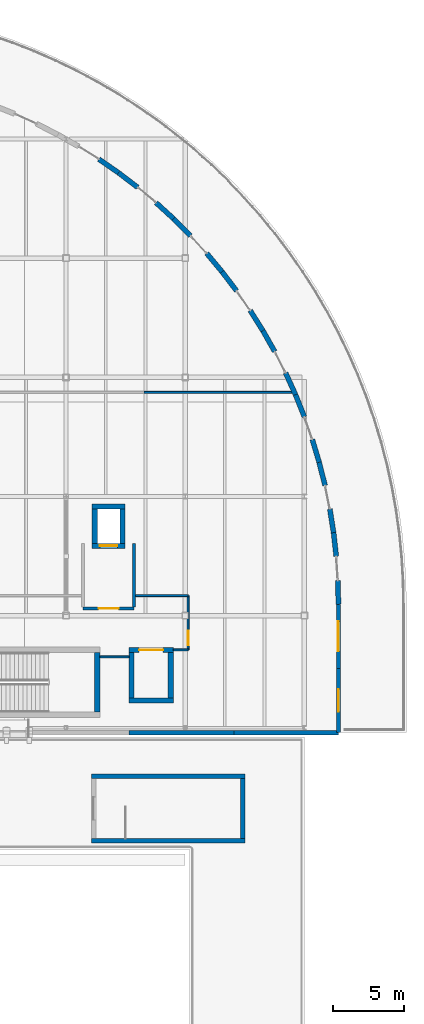
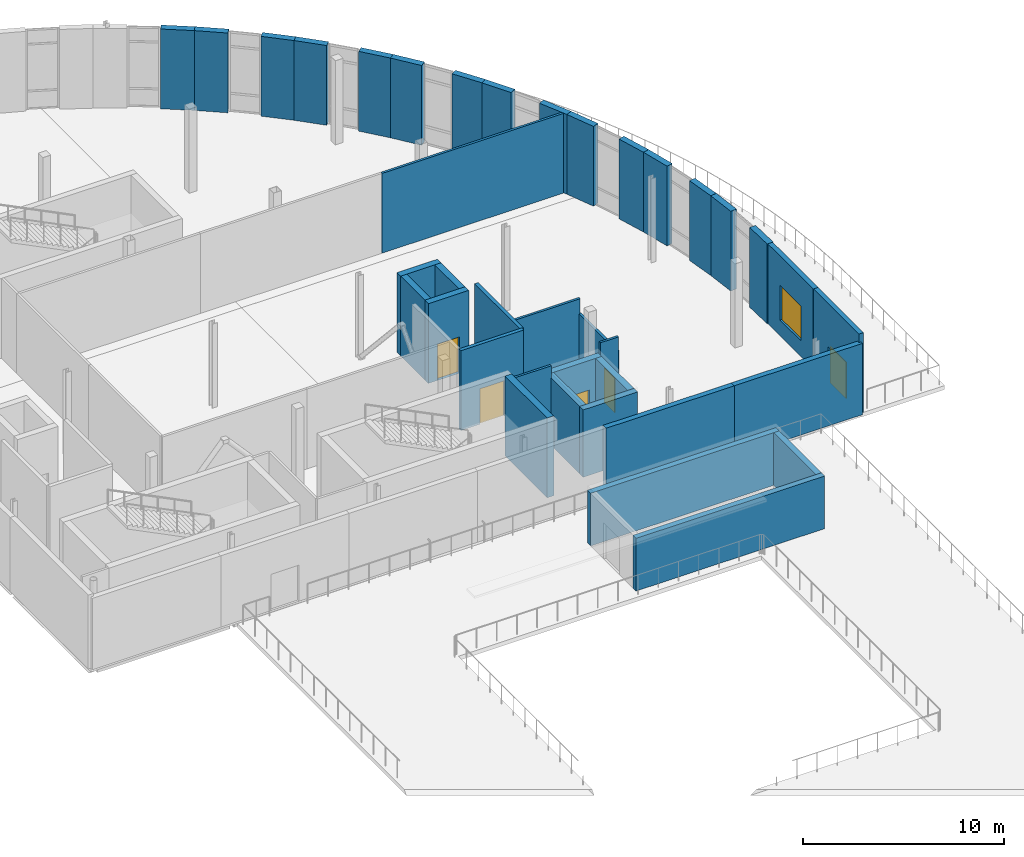
# One storey, part 37 of 57: 38 walls, 5 doors, 1 window, 6 openings.
"""IFC4 building model written with IfcOpenShell, lengths in metres."""

from ifc_helpers import new_model, si_unit, direction, frame, frame_2d, origin, place, context, subcontext, project, spatial, rectangle, extrude, material, layer, layer_set, type_object, element, fill, save


model = new_model("IFC4")

# Units and contexts
model_context = context("Model", 3, precision=1e-05, world=origin(), true_north=direction((0.0, 1.0)))
body_context = subcontext(model_context, "Body", "Model", "MODEL_VIEW")
ifc_project = project(units=[si_unit("LENGTHUNIT", "METRE"), si_unit("AREAUNIT", "SQUARE_METRE"), si_unit("VOLUMEUNIT", "CUBIC_METRE"), si_unit("PLANEANGLEUNIT", "RADIAN"), si_unit("MASSUNIT", "GRAM", prefix="KILO"), si_unit("THERMODYNAMICTEMPERATUREUNIT", "KELVIN")], contexts=[model_context])

# Site, building, storey
site_placement = place(None, origin())
site = spatial("IfcSite", under=ifc_project, at=site_placement, CompositionType="ELEMENT")
building_placement = place(site_placement, origin())
building = spatial("IfcBuilding", under=site, at=building_placement, Name="Lustrewick Department Store", CompositionType="ELEMENT")
storey_placement = place(building_placement, frame((0.0, 0.0, 26.699951171875)))
storey = spatial("IfcBuildingStorey", under=building, at=storey_placement, Name="L06", CompositionType="ELEMENT", Elevation=26.699951171875)

# Wall, opening, door
ifc_material_1 = material(Name="Precast concrete C40", Category="concrete")
ifc_layer_1 = layer(ifc_material_1, 0.260009765625, Name="Precast concrete C40")
ifc_layer_set_1 = layer_set([ifc_layer_1], Name="Precast concrete C40")
wall_type_1 = type_object("IfcWallType", Name="EW02", PredefinedType="STANDARD", material=ifc_layer_set_1)
wall_1_placement = place(storey_placement, frame((153.60009765625, 50.550048828125, 0.0), z_axis=(0.0, 0.0, 1.0), x_axis=(0.0, 1.0, 0.0)))
wall_1 = element("IfcWall", 1, at=wall_1_placement, inside=storey, type_object=wall_type_1, Name="L06 V4 Exterior Wall EW02", PredefinedType="STANDARD", context=body_context, shape_type="SweptSolid", body=[
    extrude(rectangle(XDim=4.52490234375, YDim=0.260009765625, at=frame_2d((2.262451171875, 0.0))), origin(), (0.0, 0.0, 1.0), 4.844970703125),
])
opening_1_placement = place(wall_1_placement, frame((1.46240234375, 0.0, 0.0)))
opening_1 = element("IfcOpeningElement", 2, at=opening_1_placement, cuts=wall_1, Name="Opening D-TR07", PredefinedType="OPENING", context=body_context, shape_type="SweptSolid", body=[
    extrude(rectangle(XDim=1.60009765625, YDim=2.199951171875, at=frame_2d((0.800048828125, 1.10009765625))), frame((0.0, 0.14013671875, 0.0), z_axis=(0.0, -1.0, 0.0), x_axis=(1.0, 0.0, 0.0)), (0.0, 0.0, 1.0), 0.280029296875),
])
ifc_material_2 = material(Name="Steel fire-rated terrace exit door EI 60", Category="steel")
door_type_1 = type_object("IfcDoorType", Name="DT-03", OperationType="NOTDEFINED", PredefinedType="DOOR", material=ifc_material_2)
door_1_placement = place(opening_1_placement, frame((1.60009765625, 0.0, 0.0), z_axis=(0.0, 0.0, 1.0), x_axis=(-1.0, 0.0, 0.0)))
door_1 = element("IfcDoor", 3, at=door_1_placement, inside=storey, type_object=door_type_1, Name="L06 Terrace and Refuge Access Door D-TR07", OperationType="DOUBLE_DOOR_SINGLE_SWING", OverallHeight=2.199951171875, OverallWidth=1.60009765625, PredefinedType="DOOR", context=body_context, shape_type="SweptSolid", body=[
    extrude(rectangle(XDim=1.60009765625, YDim=2.199951171875, at=frame_2d((0.800048828125, 1.10009765625))), frame((0.0, 0.02490234375, 0.0), z_axis=(0.0, -1.0, 0.0), x_axis=(1.0, 0.0, 0.0)), (0.0, 0.0, 1.0), 0.050048828125),
])
fill(opening_1, door_1)

# Wall, opening, window
ifc_layer_2 = layer(ifc_material_1, 0.280029296875, Name="Precast concrete C40")
ifc_layer_set_2 = layer_set([ifc_layer_2], Name="Precast concrete C40")
wall_type_2 = type_object("IfcWallType", Name="EW03", PredefinedType="STANDARD", material=ifc_layer_set_2)
wall_2_placement = place(storey_placement, frame((153.60009765625, 55.074951171875, 0.0), z_axis=(0.0, 0.0, 1.0), x_axis=(0.0, 1.0, 0.0)))
wall_2 = element("IfcWall", 4, at=wall_2_placement, inside=storey, type_object=wall_type_2, Name="L06 V4 Exterior Wall EW03", PredefinedType="STANDARD", context=body_context, shape_type="SweptSolid", body=[
    extrude(rectangle(XDim=4.525146484375, YDim=0.280029296875, at=frame_2d((2.2626953125, 0.0))), origin(), (0.0, 0.0, 1.0), 4.844970703125),
])
opening_2_placement = place(wall_2_placement, frame((1.21240234375, 0.0, 0.949951171875)))
opening_2 = element("IfcOpeningElement", 5, at=opening_2_placement, cuts=wall_2, Name="Opening WN11", PredefinedType="OPENING", context=body_context, shape_type="SweptSolid", body=[
    extrude(rectangle(XDim=2.10009765625, YDim=2.10009765625, at=frame_2d((1.050048828125, 1.050048828125))), frame((0.0, 0.14990234375, 0.0), z_axis=(0.0, -1.0, 0.0), x_axis=(1.0, 0.0, 0.0)), (0.0, 0.0, 1.0), 0.300048828125),
])
ifc_material_3 = material(Name="Thermally broken Low-E triple-glazed window", Category="glass")
window_type = type_object("IfcWindowType", Name="WN11", PartitioningType="DOUBLE_PANEL_VERTICAL", PredefinedType="WINDOW", material=ifc_material_3)
window_placement = place(opening_2_placement, origin())
window = element("IfcWindow", 6, at=window_placement, inside=storey, type_object=window_type, Name="L06 Art Nouveau Window WN11", OverallHeight=2.10009765625, OverallWidth=2.10009765625, PartitioningType="SINGLE_PANEL", PredefinedType="WINDOW", context=body_context, shape_type="SweptSolid", body=[
    extrude(rectangle(XDim=2.10009765625, YDim=2.10009765625, at=frame_2d((1.050048828125, 1.050048828125))), frame((0.0, 0.030029296875, 0.0), z_axis=(0.0, -1.0, 0.0), x_axis=(1.0, 0.0, 0.0)), (0.0, 0.0, 1.0), 0.06005859375),
])
fill(opening_2, window)

# Walls
ifc_layer_3 = layer(ifc_material_1, 0.300048828125, Name="Precast concrete C40")
ifc_layer_set_3 = layer_set([ifc_layer_3], Name="Precast concrete C40")
wall_type_3 = type_object("IfcWallType", Name="EW04", PredefinedType="STANDARD", material=ifc_layer_set_3)
for number, where, z_axis, x_axis, name in (
    (7, (138.85009765625, 50.550048828125, 0.0), (0.0, 0.0, 1.0), (1.0, 0.0, 0.0), "L06 V4 Exterior Wall EW04"),
    (8, (146.22509765625, 50.550048828125, 0.0), (0.0, 0.0, 1.0), (1.0, 0.0, 0.0), "L06 V4 Exterior Wall EW04"),
):
    element("IfcWall", number, at=place(storey_placement, frame(where, z_axis=z_axis, x_axis=x_axis)), inside=storey, type_object=wall_type_3, Name=name, PredefinedType="STANDARD", context=body_context, shape_type="SweptSolid", body=[
        extrude(rectangle(XDim=7.375, YDim=0.300048828125, at=frame_2d((3.6875, 0.0))), origin(), (0.0, 0.0, 1.0), 4.3310546875),
    ])
ifc_layer_4 = layer(ifc_material_1, 0.35009765625, Name="Precast concrete C40")
ifc_layer_set_4 = layer_set([ifc_layer_4], Name="Precast concrete C40")
wall_type_4 = type_object("IfcWallType", Name="EW06", PredefinedType="STANDARD", material=ifc_layer_set_4)
for number, where, z_axis, x_axis, name in (
    (9, (153.60009765625, 59.60009765625, 0.0), (0.0, 0.0, 1.0), (-0.022573490963, 0.999745186288, 0.0), "L06 V4 Exterior Wall EW06"),
    (10, (153.448486328125, 62.970458984375, 0.0), (0.0, 0.0, 1.0), (-0.111844781242, 0.993725688965, 0.0), "L06 V4 Exterior Wall EW06"),
    (11, (153.259765625, 64.647216796875, 0.0), (0.0, 0.0, 1.0), (-0.156415805845, 0.987691295741, 0.0), "L06 V4 Exterior Wall EW06"),
    (12, (152.6572265625, 67.966796875, 0.0), (0.0, 0.0, 1.0), (-0.244237492363, 0.969715446574, 0.0), "L06 V4 Exterior Wall EW06"),
    (13, (152.2451171875, 69.60302734375, 0.0), (0.0, 0.0, 1.0), (-0.287653190194, 0.957734640791, 0.0), "L06 V4 Exterior Wall EW06"),
    (14, (151.202392578125, 72.811767578125, 0.0), (0.0, 0.0, 1.0), (-0.372313580206, 0.928106997061, 0.0), "L06 V4 Exterior Wall EW06"),
):
    element("IfcWall", number, at=place(storey_placement, frame(where, z_axis=z_axis, x_axis=x_axis)), inside=storey, type_object=wall_type_4, Name=name, PredefinedType="STANDARD", context=body_context, shape_type="SweptSolid", body=[
        extrude(rectangle(XDim=1.687255859375, YDim=0.35009765625, at=frame_2d((0.84375, 0.0))), origin(), (0.0, 0.0, 1.0), 4.844970703125),
    ])
wall_3_placement = place(storey_placement, frame((150.57421875, 74.377685546875, 0.0), z_axis=(0.0, 0.0, 1.0), x_axis=(-0.413508598514, 0.910500213594, 0.0)))
element("IfcWall", 15, at=wall_3_placement, inside=storey, type_object=wall_type_4, Name="L06 V4 Exterior Wall EW06", PredefinedType="STANDARD", context=body_context, shape_type="SweptSolid", body=[
    extrude(rectangle(XDim=1.6875, YDim=0.35009765625, at=frame_2d((0.84375, 0.0))), origin(), (0.0, 0.0, 1.0), 4.844970703125),
])
for number, where, z_axis, x_axis, name in (
    (16, (149.1103515625, 77.41748046875, 0.0), (0.0, 0.0, 1.0), (-0.493534532221, 0.86972620146, 0.0), "L06 V4 Exterior Wall EW06"),
    (17, (148.277587890625, 78.885009765625, 0.0), (0.0, 0.0, 1.0), (-0.532026339081, 0.84672780427, 0.0), "L06 V4 Exterior Wall EW06"),
    (18, (146.4189453125, 81.70068359375, 0.0), (0.0, 0.0, 1.0), (-0.605703110729, 0.795690732417, 0.0), "L06 V4 Exterior Wall EW06"),
    (19, (145.39697265625, 83.043212890625, 0.0), (0.0, 0.0, 1.0), (-0.640966804457, 0.76756859992, 0.0), "L06 V4 Exterior Wall EW06"),
    (20, (143.177001953125, 85.583984375, 0.0), (0.0, 0.0, 1.0), (-0.707106781187, 0.707106781187, 0.0), "L06 V4 Exterior Wall EW06"),
    (21, (141.98388671875, 86.777099609375, 0.0), (0.0, 0.0, 1.0), (-0.738084396722, 0.674708398729, 0.0), "L06 V4 Exterior Wall EW06"),
):
    element("IfcWall", number, at=place(storey_placement, frame(where, z_axis=z_axis, x_axis=x_axis)), inside=storey, type_object=wall_type_4, Name=name, PredefinedType="STANDARD", context=body_context, shape_type="SweptSolid", body=[
        extrude(rectangle(XDim=1.687255859375, YDim=0.35009765625, at=frame_2d((0.84375, 0.0))), origin(), (0.0, 0.0, 1.0), 4.844970703125),
    ])
wall_4_placement = place(storey_placement, frame((139.443115234375, 88.996826171875, 0.0), z_axis=(0.0, 0.0, 1.0), x_axis=(-0.795620996027, 0.605794710014, 0.0)))
element("IfcWall", 22, at=wall_4_placement, inside=storey, type_object=wall_type_4, Name="L06 V4 Exterior Wall EW06", PredefinedType="STANDARD", context=body_context, shape_type="SweptSolid", body=[
    extrude(rectangle(XDim=1.6875, YDim=0.35009765625, at=frame_2d((0.84375, 0.0))), origin(), (0.0, 0.0, 1.0), 4.844970703125),
])
wall_5_placement = place(storey_placement, frame((138.1005859375, 90.01904296875, 0.0), z_axis=(0.0, 0.0, 1.0), x_axis=(-0.821988993261, 0.569503375722, 0.0)))
element("IfcWall", 23, at=wall_5_placement, inside=storey, type_object=wall_type_4, Name="L06 V4 Exterior Wall EW06", PredefinedType="STANDARD", context=body_context, shape_type="SweptSolid", body=[
    extrude(rectangle(XDim=1.687255859375, YDim=0.35009765625, at=frame_2d((0.84375, 0.0))), origin(), (0.0, 0.0, 1.0), 4.844970703125),
])

# Wall, opening, door
ifc_material_4 = material(Name="Autoclaved aerated concrete blockwork and fire board", Category="masonry")
ifc_layer_5 = layer(ifc_material_4, 0.205078125, Name="Autoclaved aerated concrete blockwork and fire board")
ifc_layer_set_5 = layer_set([ifc_layer_5], Name="Autoclaved aerated concrete blockwork and fire board")
wall_type_5 = type_object("IfcWallType", Name="PW02", PredefinedType="PARTITIONING", material=ifc_layer_set_5)
wall_6_placement = place(storey_placement, frame((135.60009765625, 59.300048828125, 0.0), z_axis=(0.0, 0.0, 1.0), x_axis=(1.0, 0.0, 0.0)))
wall_6 = element("IfcWall", 24, at=wall_6_placement, inside=storey, type_object=wall_type_5, Name="L06 Firefighting Lift Lobby FFL-03 PW02", PredefinedType="PARTITIONING", context=body_context, shape_type="SweptSolid", body=[
    extrude(rectangle(XDim=3.599853515625, YDim=0.205078125, at=frame_2d((1.7998046875, 0.0))), origin(), (0.0, 0.0, 1.0), 4.844970703125),
])
opening_3_placement = place(wall_6_placement, frame((1.10009765625, 0.0, 0.0)))
opening_3 = element("IfcOpeningElement", 25, at=opening_3_placement, cuts=wall_6, Name="Opening D-L06-047", PredefinedType="OPENING", context=body_context, shape_type="SweptSolid", body=[
    extrude(rectangle(XDim=1.39990234375, YDim=2.14990234375, at=frame_2d((0.699951171875, 1.074951171875))), frame((0.0, 0.112548828125, 0.0), z_axis=(0.0, -1.0, 0.0), x_axis=(1.0, 0.0, 0.0)), (0.0, 0.0, 1.0), 0.22509765625),
])
ifc_material_5 = material(Name="Steel fire door Class B EI 60", Category="steel")
door_type_2 = type_object("IfcDoorType", Name="DT-08", OperationType="NOTDEFINED", PredefinedType="DOOR", material=ifc_material_5)
door_2_placement = place(opening_3_placement, origin())
door_2 = element("IfcDoor", 26, at=door_2_placement, inside=storey, type_object=door_type_2, Name="L06 Firefighting Lift Lobby FFL-03 Door D-L06-047", OperationType="SINGLE_SWING_RIGHT", OverallHeight=2.14990234375, OverallWidth=1.39990234375, PredefinedType="DOOR", context=body_context, shape_type="SweptSolid", body=[
    extrude(rectangle(XDim=1.39990234375, YDim=2.14990234375, at=frame_2d((0.699951171875, 1.074951171875))), frame((0.0, 0.02490234375, 0.0), z_axis=(0.0, -1.0, 0.0), x_axis=(1.0, 0.0, 0.0)), (0.0, 0.0, 1.0), 0.050048828125),
])
fill(opening_3, door_2)

# Wall
wall_7_placement = place(storey_placement, frame((139.199951171875, 59.3974609375, 0.0), z_axis=(0.0, 0.0, 1.0), x_axis=(0.0, 1.0, 0.0)))
element("IfcWall", 27, at=wall_7_placement, inside=storey, type_object=wall_type_5, Name="L06 Firefighting Lift Lobby FFL-03 PW02", PredefinedType="PARTITIONING", context=body_context, shape_type="SweptSolid", body=[
    extrude(rectangle(XDim=4.50244140625, YDim=0.205078125, at=frame_2d((2.251220703125, 0.0))), origin(), (0.0, 0.0, 1.0), 4.844970703125),
])

# Wall, opening, door
ifc_material_6 = material(Name="Acoustic gypsum stud corridor partition", Category="gypsum")
ifc_layer_6 = layer(ifc_material_6, 0.135009765625, Name="Acoustic gypsum stud corridor partition")
ifc_layer_set_6 = layer_set([ifc_layer_6], Name="Acoustic gypsum stud corridor partition")
wall_type_6 = type_object("IfcWallType", Name="PW06", PredefinedType="PARTITIONING", material=ifc_layer_set_6)
wall_8_placement = place(storey_placement, frame((143.010009765625, 60.199951171875, 0.0), z_axis=(0.0, 0.0, 1.0), x_axis=(0.0, -1.0, 0.0)))
wall_8 = element("IfcWall", 28, at=wall_8_placement, inside=storey, type_object=wall_type_6, Name="L06 Store Buying Office PW06", PredefinedType="PARTITIONING", context=body_context, shape_type="SweptSolid", body=[
    extrude(rectangle(XDim=3.800048828125, YDim=0.135009765625, at=frame_2d((1.89990234375, 0.0))), origin(), (0.0, 0.0, 1.0), 3.93701171875),
])
opening_4_placement = place(wall_8_placement, frame((2.449951171875, 0.0, 0.0)))
opening_4 = element("IfcOpeningElement", 29, at=opening_4_placement, cuts=wall_8, Name="Opening D-L06-049", PredefinedType="OPENING", context=body_context, shape_type="SweptSolid", body=[
    extrude(rectangle(XDim=1.050048828125, YDim=2.10009765625, at=frame_2d((0.52490234375, 1.050048828125))), frame((0.0, 0.07763671875, 0.0), z_axis=(0.0, -1.0, 0.0), x_axis=(1.0, 0.0, 0.0)), (0.0, 0.0, 1.0), 0.155029296875),
])
ifc_material_7 = material(Name="Acoustic oak veneer office door", Category="wood")
door_type_3 = type_object("IfcDoorType", Name="DT-10", OperationType="NOTDEFINED", PredefinedType="DOOR", material=ifc_material_7)
door_3_placement = place(opening_4_placement, origin())
door_3 = element("IfcDoor", 30, at=door_3_placement, inside=storey, type_object=door_type_3, Name="L06 Store Buying Office Door D-L06-049", OperationType="SINGLE_SWING_RIGHT", OverallHeight=2.10009765625, OverallWidth=1.050048828125, PredefinedType="DOOR", context=body_context, shape_type="SweptSolid", body=[
    extrude(rectangle(XDim=1.050048828125, YDim=2.10009765625, at=frame_2d((0.52490234375, 1.050048828125))), frame((0.0, 0.02490234375, 0.0), z_axis=(0.0, -1.0, 0.0), x_axis=(1.0, 0.0, 0.0)), (0.0, 0.0, 1.0), 0.050048828125),
])
fill(opening_4, door_3)

# Walls
wall_9_placement = place(storey_placement, frame((143.0, 56.389892578125, 0.0), z_axis=(0.0, 0.0, 1.0), x_axis=(-1.0, 0.0, 0.0)))
element("IfcWall", 31, at=wall_9_placement, inside=storey, type_object=wall_type_6, Name="L06 Store Buying Office PW06", PredefinedType="PARTITIONING", context=body_context, shape_type="SweptSolid", body=[
    extrude(rectangle(XDim=1.0400390625, YDim=0.135009765625, at=frame_2d((0.52001953125, 0.0))), origin(), (0.0, 0.0, 1.0), 4.844970703125),
])
wall_10_placement = place(storey_placement, frame((139.297607421875, 60.2099609375, 0.0), z_axis=(0.0, 0.0, 1.0), x_axis=(1.0, 0.0, 0.0)))
element("IfcWall", 32, at=wall_10_placement, inside=storey, type_object=wall_type_6, Name="L06 Store Buying Office PW06", PredefinedType="PARTITIONING", context=body_context, shape_type="SweptSolid", body=[
    extrude(rectangle(XDim=3.702392578125, YDim=0.135009765625, at=frame_2d((1.85107421875, 0.0))), origin(), (0.0, 0.0, 1.0), 4.844970703125),
])
wall_11_placement = place(storey_placement, frame((138.844970703125, 55.889892578125, 0.0), z_axis=(0.0, 0.0, 1.0), x_axis=(-1.0, 0.0, 0.0)))
element("IfcWall", 33, at=wall_11_placement, inside=storey, type_object=wall_type_6, Name="L06 Store Buying Office PW06", PredefinedType="PARTITIONING", context=body_context, shape_type="SweptSolid", body=[
    extrude(rectangle(XDim=2.070068359375, YDim=0.135009765625, at=frame_2d((1.03515625, 0.0))), origin(), (0.0, 0.0, 1.0), 4.844970703125),
])
wall_12_placement = place(storey_placement, frame((150.31201171875, 74.5439453125, 0.0), z_axis=(0.0, 0.0, 1.0), x_axis=(-1.0, 0.0, 0.0)))
element("IfcWall", 34, at=wall_12_placement, inside=storey, type_object=wall_type_6, Name="L06 Store Buying Office PW06", PredefinedType="PARTITIONING", context=body_context, shape_type="SweptSolid", body=[
    extrude(rectangle(XDim=10.412109375, YDim=0.135009765625, at=frame_2d((5.2060546875, 0.0))), origin(), (0.0, 0.0, 1.0), 4.844970703125),
])
ifc_material_8 = material(Name="Concrete C40", Category="concrete")
ifc_layer_7 = layer(ifc_material_8, 0.3798828125, Name="Concrete C40")
ifc_layer_set_7 = layer_set([ifc_layer_7], Name="Concrete C40")
wall_type_7 = type_object("IfcWallType", Name="SW03", PredefinedType="SHEAR", material=ifc_layer_set_7)
wall_13_placement = place(storey_placement, frame((136.590087890625, 52.0, 0.0), z_axis=(0.0, 0.0, 1.0), x_axis=(0.0, 1.0, 0.0)))
element("IfcWall", 35, at=wall_13_placement, inside=storey, type_object=wall_type_7, Name="L06 Stair Core ST11 Shear Wall E", PredefinedType="SHEAR", context=body_context, shape_type="SweptSolid", body=[
    extrude(rectangle(XDim=4.199951171875, YDim=0.3798828125, at=frame_2d((2.10009765625, 0.0))), origin(), (0.0, 0.0, 1.0), 4.844970703125),
])

# Wall, opening, door
ifc_layer_8 = layer(ifc_material_8, 0.360107421875, Name="Concrete C40")
ifc_layer_set_8 = layer_set([ifc_layer_8], Name="Concrete C40")
wall_type_8 = type_object("IfcWallType", Name="SW04", PredefinedType="SHEAR", material=ifc_layer_set_8)
wall_14_placement = place(storey_placement, frame((136.239990234375, 63.719970703125, 0.0), z_axis=(0.0, 0.0, 1.0), x_axis=(1.0, 0.0, 0.0)))
wall_14 = element("IfcWall", 36, at=wall_14_placement, inside=storey, type_object=wall_type_8, Name="L06 Lift FFL-03 Shaft Wall -Y", PredefinedType="SHEAR", context=body_context, shape_type="SweptSolid", body=[
    extrude(rectangle(XDim=2.320068359375, YDim=0.360107421875, at=frame_2d((1.16015625, 0.0))), origin(), (0.0, 0.0, 1.0), 4.844970703125),
])
opening_5_placement = place(wall_14_placement, frame((0.534912109375, 0.0, 0.0)))
opening_5 = element("IfcOpeningElement", 37, at=opening_5_placement, cuts=wall_14, Name="Opening LD-L06-02", PredefinedType="OPENING", context=body_context, shape_type="SweptSolid", body=[
    extrude(rectangle(XDim=1.25, YDim=2.199951171875, at=frame_2d((0.625, 1.10009765625))), frame((0.0, 0.18994140625, 0.0), z_axis=(0.0, -1.0, 0.0), x_axis=(1.0, 0.0, 0.0)), (0.0, 0.0, 1.0), 0.380126953125),
])
ifc_material_9 = material(Name="Stainless steel firefighting lift landing door EI 90", Category="steel")
door_type_4 = type_object("IfcDoorType", Name="DT-15", OperationType="NOTDEFINED", PredefinedType="DOOR", material=ifc_material_9)
door_4_placement = place(opening_5_placement, frame((1.25, 0.0, 0.0), z_axis=(0.0, 0.0, 1.0), x_axis=(-1.0, 0.0, 0.0)))
door_4 = element("IfcDoor", 38, at=door_4_placement, inside=storey, type_object=door_type_4, Name="L06 Lift FFL-03 Sliding Landing Door LD-L06-02", OperationType="DOUBLE_DOOR_SLIDING", OverallHeight=2.199951171875, OverallWidth=1.25, PredefinedType="DOOR", context=body_context, shape_type="SweptSolid", body=[
    extrude(rectangle(XDim=1.25, YDim=2.199951171875, at=frame_2d((0.625, 1.10009765625))), frame((0.0, 0.02490234375, 0.0), z_axis=(0.0, -1.0, 0.0), x_axis=(1.0, 0.0, 0.0)), (0.0, 0.0, 1.0), 0.050048828125),
])
fill(opening_5, door_4)

# Walls
wall_15_placement = place(storey_placement, frame((138.3798828125, 63.89990234375, 0.0), z_axis=(0.0, 0.0, 1.0), x_axis=(0.0, 1.0, 0.0)))
element("IfcWall", 39, at=wall_15_placement, inside=storey, type_object=wall_type_8, Name="L06 Lift FFL-03 Shaft Wall +X", PredefinedType="SHEAR", context=body_context, shape_type="SweptSolid", body=[
    extrude(rectangle(XDim=2.400146484375, YDim=0.360107421875, at=frame_2d((1.2001953125, 0.0))), origin(), (0.0, 0.0, 1.0), 4.844970703125),
])
wall_16_placement = place(storey_placement, frame((138.56005859375, 66.47998046875, 0.0), z_axis=(0.0, 0.0, 1.0), x_axis=(-1.0, 0.0, 0.0)))
element("IfcWall", 40, at=wall_16_placement, inside=storey, type_object=wall_type_8, Name="L06 Lift FFL-03 Shaft Wall +Y", PredefinedType="SHEAR", context=body_context, shape_type="SweptSolid", body=[
    extrude(rectangle(XDim=2.320068359375, YDim=0.360107421875, at=frame_2d((1.16015625, 0.0))), origin(), (0.0, 0.0, 1.0), 4.844970703125),
])
wall_17_placement = place(storey_placement, frame((136.419921875, 66.300048828125, 0.0), z_axis=(0.0, 0.0, 1.0), x_axis=(0.0, -1.0, 0.0)))
element("IfcWall", 41, at=wall_17_placement, inside=storey, type_object=wall_type_8, Name="L06 Lift FFL-03 Shaft Wall -X", PredefinedType="SHEAR", context=body_context, shape_type="SweptSolid", body=[
    extrude(rectangle(XDim=2.400146484375, YDim=0.360107421875, at=frame_2d((1.2001953125, 0.0))), origin(), (0.0, 0.0, 1.0), 4.844970703125),
])
wall_18_placement = place(storey_placement, frame((138.840087890625, 52.820068359375, 0.0), z_axis=(0.0, 0.0, 1.0), x_axis=(1.0, 0.0, 0.0)))
element("IfcWall", 42, at=wall_18_placement, inside=storey, type_object=wall_type_8, Name="L06 Lift GL-04 Shaft Wall -Y", PredefinedType="SHEAR", context=body_context, shape_type="SweptSolid", body=[
    extrude(rectangle(XDim=3.119873046875, YDim=0.360107421875, at=frame_2d((1.56005859375, 0.0))), origin(), (0.0, 0.0, 1.0), 4.094970703125),
])
wall_19_placement = place(storey_placement, frame((141.780029296875, 53.0, 0.0), z_axis=(0.0, 0.0, 1.0), x_axis=(0.0, 1.0, 0.0)))
element("IfcWall", 43, at=wall_19_placement, inside=storey, type_object=wall_type_8, Name="L06 Lift GL-04 Shaft Wall +X", PredefinedType="SHEAR", context=body_context, shape_type="SweptSolid", body=[
    extrude(rectangle(XDim=3.199951171875, YDim=0.360107421875, at=frame_2d((1.60009765625, 0.0))), origin(), (0.0, 0.0, 1.0), 4.094970703125),
])

# Wall, opening, door
wall_20_placement = place(storey_placement, frame((141.9599609375, 56.3798828125, 0.0), z_axis=(0.0, 0.0, 1.0), x_axis=(-1.0, 0.0, 0.0)))
wall_20 = element("IfcWall", 44, at=wall_20_placement, inside=storey, type_object=wall_type_8, Name="L06 Lift GL-04 Shaft Wall +Y", PredefinedType="SHEAR", context=body_context, shape_type="SweptSolid", body=[
    extrude(rectangle(XDim=3.119873046875, YDim=0.360107421875, at=frame_2d((1.56005859375, 0.0))), origin(), (0.0, 0.0, 1.0), 4.094970703125),
])
opening_6_placement = place(wall_20_placement, frame((0.7099609375, 0.0, 0.0)))
opening_6 = element("IfcOpeningElement", 45, at=opening_6_placement, cuts=wall_20, Name="Opening LD-L06-09", PredefinedType="OPENING", context=body_context, shape_type="SweptSolid", body=[
    extrude(rectangle(XDim=1.699951171875, YDim=2.300048828125, at=frame_2d((0.85009765625, 1.14990234375))), frame((0.0, 0.18994140625, 0.0), z_axis=(0.0, -1.0, 0.0), x_axis=(1.0, 0.0, 0.0)), (0.0, 0.0, 1.0), 0.380126953125),
])
ifc_material_10 = material(Name="Heavy-duty stainless goods lift landing door EI 90", Category="steel")
door_type_5 = type_object("IfcDoorType", Name="DT-17", OperationType="NOTDEFINED", PredefinedType="DOOR", material=ifc_material_10)
door_5_placement = place(opening_6_placement, frame((1.699951171875, 0.0, 0.0), z_axis=(0.0, 0.0, 1.0), x_axis=(-1.0, 0.0, 0.0)))
door_5 = element("IfcDoor", 46, at=door_5_placement, inside=storey, type_object=door_type_5, Name="L06 Lift GL-04 Sliding Landing Door LD-L06-09", OperationType="DOUBLE_DOOR_SLIDING", OverallHeight=2.300048828125, OverallWidth=1.699951171875, PredefinedType="DOOR", context=body_context, shape_type="SweptSolid", body=[
    extrude(rectangle(XDim=1.699951171875, YDim=2.300048828125, at=frame_2d((0.85009765625, 1.14990234375))), frame((0.0, 0.02490234375, 0.0), z_axis=(0.0, -1.0, 0.0), x_axis=(1.0, 0.0, 0.0)), (0.0, 0.0, 1.0), 0.050048828125),
])
fill(opening_6, door_5)

# Walls
wall_21_placement = place(storey_placement, frame((139.02001953125, 56.199951171875, 0.0), z_axis=(0.0, 0.0, 1.0), x_axis=(0.0, -1.0, 0.0)))
element("IfcWall", 47, at=wall_21_placement, inside=storey, type_object=wall_type_8, Name="L06 Lift GL-04 Shaft Wall -X", PredefinedType="SHEAR", context=body_context, shape_type="SweptSolid", body=[
    extrude(rectangle(XDim=3.199951171875, YDim=0.360107421875, at=frame_2d((1.60009765625, 0.0))), origin(), (0.0, 0.0, 1.0), 4.094970703125),
])
ifc_layer_9 = layer(ifc_material_8, 0.320068359375, Name="Concrete C40")
ifc_layer_set_9 = layer_set([ifc_layer_9], Name="Concrete C40")
wall_type_9 = type_object("IfcWallType", Name="SW06", PredefinedType="SHEAR", material=ifc_layer_set_9)
wall_22_placement = place(storey_placement, frame((136.179931640625, 42.93994140625, 0.0), z_axis=(0.0, 0.0, 1.0), x_axis=(1.0, 0.0, 0.0)))
element("IfcWall", 48, at=wall_22_placement, inside=storey, type_object=wall_type_9, Name="L06 Stair Core ST08 Shear Wall S", PredefinedType="SHEAR", context=body_context, shape_type="SweptSolid", body=[
    extrude(rectangle(XDim=10.840087890625, YDim=0.320068359375, at=frame_2d((5.419921875, 0.0))), origin(), (0.0, 0.0, 1.0), 3.199951171875),
])
wall_23_placement = place(storey_placement, frame((146.860107421875, 43.10009765625, 0.0), z_axis=(0.0, 0.0, 1.0), x_axis=(0.0, 1.0, 0.0)))
element("IfcWall", 49, at=wall_23_placement, inside=storey, type_object=wall_type_9, Name="L06 Stair Core ST08 Shear Wall E", PredefinedType="SHEAR", context=body_context, shape_type="SweptSolid", body=[
    extrude(rectangle(XDim=4.199951171875, YDim=0.320068359375, at=frame_2d((2.10009765625, 0.0))), origin(), (0.0, 0.0, 1.0), 3.199951171875),
])
wall_24_placement = place(storey_placement, frame((147.02001953125, 47.4599609375, 0.0), z_axis=(0.0, 0.0, 1.0), x_axis=(-1.0, 0.0, 0.0)))
element("IfcWall", 50, at=wall_24_placement, inside=storey, type_object=wall_type_9, Name="L06 Stair Core ST08 Shear Wall N", PredefinedType="SHEAR", context=body_context, shape_type="SweptSolid", body=[
    extrude(rectangle(XDim=10.840087890625, YDim=0.320068359375, at=frame_2d((5.419921875, 0.0))), origin(), (0.0, 0.0, 1.0), 3.199951171875),
])

save(model, "model.ifc")
